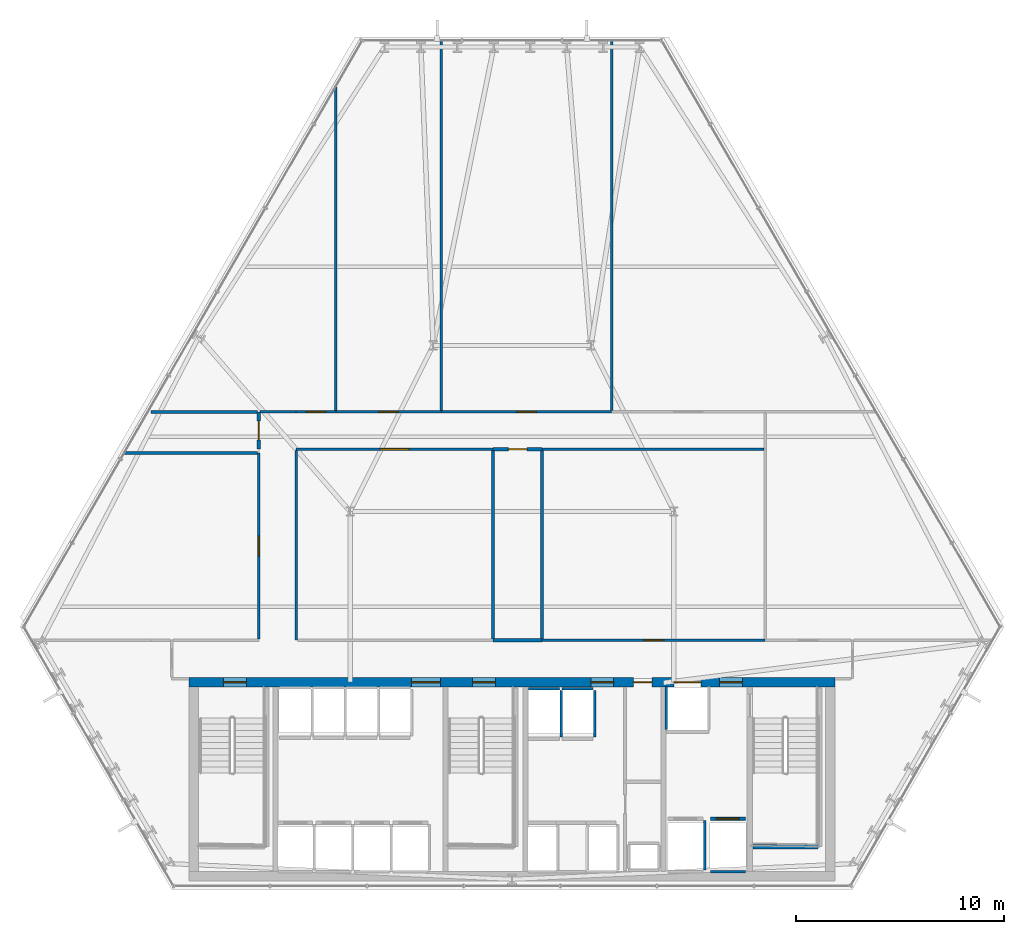
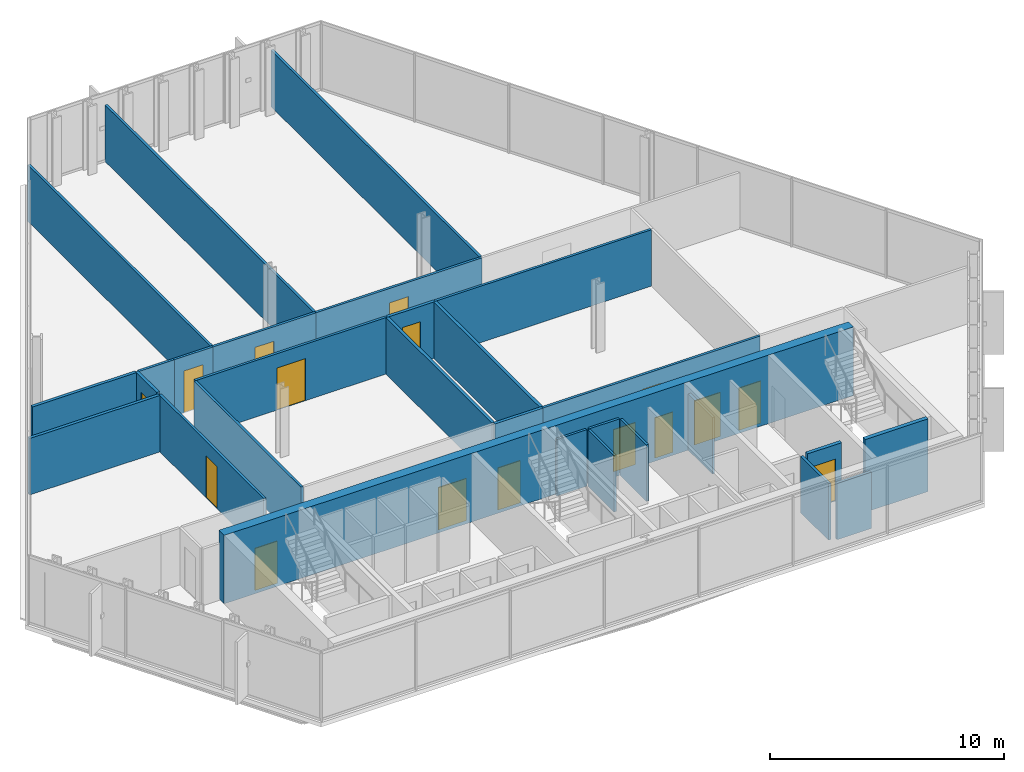
# One storey, part 28 of 33: 29 walls, 16 doors, 16 openings.
"""IFC4 building model written with IfcOpenShell, lengths in metres."""

import ifcopenshell
import ifcopenshell.guid

model = None  # the IFC model being written
_history = None  # IfcOwnerHistory: only IFC2X3 demands one
_inside = {}  # id of a spatial element -> (the spatial element, [elements in it])
_under = {}  # id of a project, library or spatial element -> (it, [spatial elements below it])
_declared = {}  # id of a project -> (the project, [libraries it declares])
_typed = {}  # id of a type object -> (the type object, [elements of that type])
_made_of = {}  # id of a material, layer set ... -> (it, [elements and type objects made of it])


def new_model(schema):
    """Start an empty IFC model of exactly this schema.

    Asked for "IFC4X3", IfcOpenShell would pick the latest addendum, in which some entities
    have other attributes; the version numbers below select the first issue.
    IFC2X3 requires an IfcOwnerHistory on every rooted entity: one is made here for all.
    """
    global model, _history
    if schema == "IFC4X3":
        model = ifcopenshell.file(schema_version=(4, 3, 0, 0))
    else:
        model = ifcopenshell.file(schema=schema)
    _inside.clear()
    _under.clear()
    _declared.clear()
    _typed.clear()
    _made_of.clear()
    _history = None
    if model.schema == "IFC2X3":
        org = make("IfcOrganization", Name="unknown")
        user = make(
            "IfcPersonAndOrganization",
            ThePerson=make("IfcPerson", FamilyName="unknown"),
            TheOrganization=org,
        )
        app = make(
            "IfcApplication",
            ApplicationDeveloper=org,
            Version="unknown",
            ApplicationFullName="unknown",
            ApplicationIdentifier="unknown",
        )
        _history = make(
            "IfcOwnerHistory",
            OwningUser=user,
            OwningApplication=app,
            ChangeAction="ADDED",
            CreationDate=0,
        )
    return model


def make(cls, **values):
    """One entity of the class cls with the attributes given. An attribute that is None is left unset."""
    return model.create_entity(
        cls, **{name: value for name, value in values.items() if value is not None}
    )


def rooted(cls, **values):
    """An entity with a GlobalId (a new one), such as an element, a storey or a relation."""
    return make(cls, GlobalId=ifcopenshell.guid.new(), OwnerHistory=_history, **values)


def si_unit(unit_type, name, prefix=None):
    """IfcSIUnit, for example si_unit("LENGTHUNIT", "METRE", prefix="MILLI")."""
    return make("IfcSIUnit", UnitType=unit_type, Prefix=prefix, Name=name)


def assignment(units):
    """IfcUnitAssignment: the units of a project."""
    return None if units is None else make("IfcUnitAssignment", Units=units)


def point(xyz):
    """IfcCartesianPoint."""
    return None if xyz is None else make("IfcCartesianPoint", Coordinates=xyz)


def direction(xyz):
    """IfcDirection."""
    return None if xyz is None else make("IfcDirection", DirectionRatios=xyz)


def frame(location, z_axis=None, x_axis=None):
    """IfcAxis2Placement3D, a coordinate frame: its origin and axes. An axis left out is left unset."""
    return make(
        "IfcAxis2Placement3D",
        Location=point(location),
        Axis=direction(z_axis),
        RefDirection=direction(x_axis),
    )


def frame_2d(location, x_axis=None):
    """IfcAxis2Placement2D, a coordinate frame in the plane: its origin and x axis."""
    return make(
        "IfcAxis2Placement2D", Location=point(location), RefDirection=direction(x_axis)
    )


def origin():
    """The frame at (0, 0, 0) with its axes left unset."""
    return frame((0.0, 0.0, 0.0))


def place(relative_to, where):
    """IfcLocalPlacement: puts the frame where relative to a parent placement (None: the world)."""
    return make(
        "IfcLocalPlacement", PlacementRelTo=relative_to, RelativePlacement=where
    )


def context(
    kind, dimensions, precision=None, world=None, true_north=None, identifier=None
):
    """IfcGeometricRepresentationContext, for example the 3D "Model" context."""
    return make(
        "IfcGeometricRepresentationContext",
        ContextIdentifier=identifier,
        ContextType=kind,
        CoordinateSpaceDimension=dimensions,
        Precision=precision,
        WorldCoordinateSystem=world,
        TrueNorth=true_north,
    )


def subcontext(parent, identifier, kind, view, scale=None):
    """IfcGeometricRepresentationSubContext, for example "Body" below "Model"."""
    return make(
        "IfcGeometricRepresentationSubContext",
        ContextIdentifier=identifier,
        ContextType=kind,
        ParentContext=parent,
        TargetScale=scale,
        TargetView=view,
    )


def project(units=None, contexts=None):
    """IfcProject with its units and contexts."""
    return rooted(
        "IfcProject",
        Name="project",
        RepresentationContexts=contexts,
        UnitsInContext=assignment(units),
    )


def spatial(cls, under=None, at=None, **own):
    """A site, building, storey or space (cls), placed at a placement, below another one or the project."""
    s = rooted(cls, ObjectPlacement=at, **own)
    if under is not None:
        _under.setdefault(under.id(), (under, []))[1].append(s)
    return s


def profile(cls, at=None, kind="AREA", **sizes):
    """A parametric profile (cls). Its sizes go by their IFC names, for example OverallWidth=200.0."""
    return make(cls, ProfileType=kind, Position=at, **sizes)


def rectangle(**sizes):
    """IfcRectangleProfileDef."""
    return profile("IfcRectangleProfileDef", **sizes)


def extrude(swept, where, along, depth):
    """IfcExtrudedAreaSolid: the profile swept, set in the frame where, extruded along a direction by depth."""
    return make(
        "IfcExtrudedAreaSolid",
        SweptArea=swept,
        Position=where,
        ExtrudedDirection=direction(along),
        Depth=depth,
    )


def shape(context_of_items, identifier, shape_type, items):
    """IfcShapeRepresentation: the items that make up one representation, for example the "Body"."""
    return make(
        "IfcShapeRepresentation",
        ContextOfItems=context_of_items,
        RepresentationIdentifier=identifier,
        RepresentationType=shape_type,
        Items=items,
    )


def material(Name=None, Category=None):
    """IfcMaterial."""
    return make("IfcMaterial", Name=Name, Category=Category)


def layer(
    of_material, thickness, ventilated=None, Name=None, Category=None, Priority=None
):
    """IfcMaterialLayer: one layer of a wall or slab, of a material (None: an air gap)."""
    return make(
        "IfcMaterialLayer",
        Material=of_material,
        LayerThickness=thickness,
        IsVentilated=ventilated,
        Name=Name,
        Category=Category,
        Priority=Priority,
    )


def layer_set(layers, Name=None):
    """IfcMaterialLayerSet."""
    return make("IfcMaterialLayerSet", MaterialLayers=layers, LayerSetName=Name)


def made_of(thing, what):
    """Note that an element or type object is made of a material, layer set ...; save() writes the relation."""
    if what is not None:
        _made_of.setdefault(what.id(), (what, []))[1].append(thing)
    return thing


def type_object(cls, material=None, **own):
    """A type object (cls), such as IfcWallType, which elements share."""
    return made_of(rooted(cls, **own), material)


def element(
    cls,
    number,
    at=None,
    inside=None,
    cuts=None,
    type_object=None,
    material=None,
    context=None,
    identifier="Body",
    shape_type=None,
    held_by="IfcProductDefinitionShape",
    body=None,
    shapes=None,
    **own,
):
    """One element of the class cls, such as IfcWall. Its Tag is "e" and its number.

    at: its placement. inside: the storey or other place that contains it. cuts: it is an
    opening in that element (IfcRelVoidsElement). A single representation is given by context,
    identifier, shape_type and body (its items); several are given by shapes. held_by: the class
    of the entity that holds the representations. save() writes the other relations.
    """
    e = rooted(cls, Tag="e%d" % number, ObjectPlacement=at, **own)
    if body is not None:
        shapes = [shape(context, identifier, shape_type, body)]
    if shapes is not None:
        e.Representation = make(held_by, Representations=shapes)
    if inside is not None:
        _inside.setdefault(inside.id(), (inside, []))[1].append(e)
    if cuts is not None:
        rooted(
            "IfcRelVoidsElement", RelatingBuildingElement=cuts, RelatedOpeningElement=e
        )
    if type_object is not None:
        _typed.setdefault(type_object.id(), (type_object, []))[1].append(e)
    return made_of(e, material)


def fill(opening, filler):
    """IfcRelFillsElement: the door or window that sits in an opening."""
    return rooted(
        "IfcRelFillsElement",
        RelatingOpeningElement=opening,
        RelatedBuildingElement=filler,
    )


def aggregate(whole, parts):
    """IfcRelAggregates: a whole, such as a stair, and the parts it consists of."""
    return rooted("IfcRelAggregates", RelatingObject=whole, RelatedObjects=parts)


def save(model, path):
    """Write the relations noted so far, then the file.

    IfcRelAggregates (storeys below a building ...), IfcRelContainedInSpatialStructure (elements
    in a storey), IfcRelDefinesByType, IfcRelAssociatesMaterial and IfcRelDeclares: one each for
    every whole, place, type object, material and project.
    """
    for whole, parts in _under.values():
        aggregate(whole, parts)
    for where, things in _inside.values():
        rooted(
            "IfcRelContainedInSpatialStructure",
            RelatedElements=things,
            RelatingStructure=where,
        )
    for kind, things in _typed.values():
        rooted("IfcRelDefinesByType", RelatedObjects=things, RelatingType=kind)
    for what, things in _made_of.values():
        rooted("IfcRelAssociatesMaterial", RelatedObjects=things, RelatingMaterial=what)
    for by, libraries in _declared.values():
        rooted("IfcRelDeclares", RelatingContext=by, RelatedDefinitions=libraries)
    model.write(path)


model = new_model("IFC4")

# Units and contexts
model_context = context("Model", 3, precision=1e-05, world=origin(), true_north=direction((0.0, 1.0)))
body_context = subcontext(model_context, "Body", "Model", "MODEL_VIEW")
ifc_project = project(units=[si_unit("LENGTHUNIT", "METRE"), si_unit("AREAUNIT", "SQUARE_METRE"), si_unit("VOLUMEUNIT", "CUBIC_METRE"), si_unit("PLANEANGLEUNIT", "RADIAN"), si_unit("MASSUNIT", "GRAM", prefix="KILO")], contexts=[model_context])

# Site, building, storey
site_placement = place(None, origin())
site = spatial("IfcSite", under=ifc_project, at=site_placement, CompositionType="ELEMENT")
building_placement = place(site_placement, origin())
building = spatial("IfcBuilding", under=site, at=building_placement, Name="Ndaravel Arena Tower", CompositionType="ELEMENT")
storey_placement = place(building_placement, frame((0.0, 0.0, 81.60009765625)))
storey = spatial("IfcBuildingStorey", under=building, at=storey_placement, Name="L18", CompositionType="ELEMENT", Elevation=81.60009765625)

# Wall, openings, doors
ifc_material_1 = material(Name="Concrete C60/75", Category="concrete")
ifc_layer_1 = layer(ifc_material_1, 0.449951171875)
ifc_layer_set_1 = layer_set([ifc_layer_1], Name="Concrete C60/75")
wall_type_1 = type_object("IfcWallType", Name="WALL-CORE-450", PredefinedType="SOLIDWALL", material=ifc_layer_set_1)
wall_1_placement = place(storey_placement, frame((26.449951171875, 14.97509765625, 0.0), z_axis=(0.0, 0.0, 1.0), x_axis=(1.0, 0.0, 0.0)))
wall_1 = element("IfcWall", 1, at=wall_1_placement, inside=storey, type_object=wall_type_1, Name="L18 Core North Shear Wall", PredefinedType="SOLIDWALL", context=body_context, shape_type="SweptSolid", body=[
    extrude(rectangle(XDim=31.10009765625, YDim=0.449951171875, at=frame_2d((15.550048828125, 0.0))), origin(), (0.0, 0.0, 1.0), 3.579833984375),
])
opening_1_placement = place(wall_1_placement, frame((1.64990234375, 0.0, 0.0)))
opening_1 = element("IfcOpeningElement", 2, at=opening_1_placement, cuts=wall_1, Name="Opening FD-01", PredefinedType="OPENING", context=body_context, shape_type="SweptSolid", body=[
    extrude(rectangle(XDim=1.10009765625, YDim=2.199951171875, at=frame_2d((0.550048828125, 1.10009765625))), frame((0.0, 0.22509765625, 0.0), z_axis=(0.0, -1.0, 0.0), x_axis=(1.0, 0.0, 0.0)), (0.0, 0.0, 1.0), 0.449951171875),
])
opening_2_placement = place(wall_1_placement, frame((13.64990234375, 0.0, 0.0)))
opening_2 = element("IfcOpeningElement", 3, at=opening_2_placement, cuts=wall_1, Name="Opening FD-01", PredefinedType="OPENING", context=body_context, shape_type="SweptSolid", body=[
    extrude(rectangle(XDim=1.10009765625, YDim=2.199951171875, at=frame_2d((0.550048828125, 1.10009765625))), frame((0.0, 0.22509765625, 0.0), z_axis=(0.0, -1.0, 0.0), x_axis=(1.0, 0.0, 0.0)), (0.0, 0.0, 1.0), 0.449951171875),
])
opening_3_placement = place(wall_1_placement, frame((25.550048828125, 0.0, 0.0)))
opening_3 = element("IfcOpeningElement", 4, at=opening_3_placement, cuts=wall_1, Name="Opening FD-01", PredefinedType="OPENING", context=body_context, shape_type="SweptSolid", body=[
    extrude(rectangle(XDim=1.10009765625, YDim=2.199951171875, at=frame_2d((0.550048828125, 1.10009765625))), frame((0.0, 0.22509765625, 0.0), z_axis=(0.0, -1.0, 0.0), x_axis=(1.0, 0.0, 0.0)), (0.0, 0.0, 1.0), 0.449951171875),
])
opening_4_placement = place(wall_1_placement, frame((10.699951171875, 0.0, 0.0)))
opening_4 = element("IfcOpeningElement", 5, at=opening_4_placement, cuts=wall_1, Name="Opening ID-02", PredefinedType="OPENING", context=body_context, shape_type="SweptSolid", body=[
    extrude(rectangle(XDim=1.39990234375, YDim=2.199951171875, at=frame_2d((0.699951171875, 1.10009765625))), frame((0.0, 0.22509765625, 0.0), z_axis=(0.0, -1.0, 0.0), x_axis=(1.0, 0.0, 0.0)), (0.0, 0.0, 1.0), 0.449951171875),
])
opening_5_placement = place(wall_1_placement, frame((19.35009765625, 0.0, 0.0)))
opening_5 = element("IfcOpeningElement", 6, at=opening_5_placement, cuts=wall_1, Name="Opening FD-01", PredefinedType="OPENING", context=body_context, shape_type="SweptSolid", body=[
    extrude(rectangle(XDim=1.10009765625, YDim=2.199951171875, at=frame_2d((0.550048828125, 1.10009765625))), frame((0.0, 0.22509765625, 0.0), z_axis=(0.0, -1.0, 0.0), x_axis=(1.0, 0.0, 0.0)), (0.0, 0.0, 1.0), 0.449951171875),
])
opening_6_placement = place(wall_1_placement, frame((21.39990234375, 0.0, 0.0)))
opening_6 = element("IfcOpeningElement", 7, at=opening_6_placement, cuts=wall_1, Name="Opening RD-01", PredefinedType="OPENING", context=body_context, shape_type="SweptSolid", body=[
    extrude(rectangle(XDim=0.89990234375, YDim=2.10009765625, at=frame_2d((0.449951171875, 1.050048828125))), frame((0.0, 0.22509765625, 0.0), z_axis=(0.0, -1.0, 0.0), x_axis=(1.0, 0.0, 0.0)), (0.0, 0.0, 1.0), 0.449951171875),
])
opening_7_placement = place(wall_1_placement, frame((23.35009765625, 0.0, 0.0)))
opening_7 = element("IfcOpeningElement", 8, at=opening_7_placement, cuts=wall_1, Name="Opening LD-02", PredefinedType="OPENING", context=body_context, shape_type="SweptSolid", body=[
    extrude(rectangle(XDim=1.300048828125, YDim=2.300048828125, at=frame_2d((0.64990234375, 1.14990234375))), frame((0.0, 0.22509765625, 0.0), z_axis=(0.0, -1.0, 0.0), x_axis=(1.0, 0.0, 0.0)), (0.0, 0.0, 1.0), 0.449951171875),
])
ifc_material_2 = material(Name="Steel S355", Category="steel")
door_type_1 = type_object("IfcDoorType", Name="DT-01-STAIR-1100", OperationType="SINGLE_SWING_LEFT", PredefinedType="DOOR", material=ifc_material_2)
door_1_placement = place(opening_1_placement, origin())
door_1 = element("IfcDoor", 9, at=door_1_placement, inside=storey, type_object=door_type_1, Name="L18 Exit Stair ST-1 Door", OperationType="SINGLE_SWING_LEFT", OverallHeight=2.199951171875, OverallWidth=1.10009765625, PredefinedType="DOOR", context=body_context, shape_type="SweptSolid", body=[
    extrude(rectangle(XDim=1.10009765625, YDim=2.199951171875, at=frame_2d((0.550048828125, 1.10009765625))), frame((0.0, 0.02490234375, 0.0), z_axis=(0.0, -1.0, 0.0), x_axis=(1.0, 0.0, 0.0)), (0.0, 0.0, 1.0), 0.050048828125),
])
fill(opening_1, door_1)
door_2_placement = place(opening_2_placement, origin())
door_2 = element("IfcDoor", 10, at=door_2_placement, inside=storey, type_object=door_type_1, Name="L18 Exit Stair ST-2 Door", OperationType="SINGLE_SWING_RIGHT", OverallHeight=2.199951171875, OverallWidth=1.10009765625, PredefinedType="DOOR", context=body_context, shape_type="SweptSolid", body=[
    extrude(rectangle(XDim=1.10009765625, YDim=2.199951171875, at=frame_2d((0.550048828125, 1.10009765625))), frame((0.0, 0.02490234375, 0.0), z_axis=(0.0, -1.0, 0.0), x_axis=(1.0, 0.0, 0.0)), (0.0, 0.0, 1.0), 0.050048828125),
])
fill(opening_2, door_2)
door_3_placement = place(opening_3_placement, origin())
door_3 = element("IfcDoor", 11, at=door_3_placement, inside=storey, type_object=door_type_1, Name="L18 Firefighting Lift Lobby Door", OperationType="SINGLE_SWING_RIGHT", OverallHeight=2.199951171875, OverallWidth=1.10009765625, PredefinedType="DOOR", context=body_context, shape_type="SweptSolid", body=[
    extrude(rectangle(XDim=1.10009765625, YDim=2.199951171875, at=frame_2d((0.550048828125, 1.10009765625))), frame((0.0, 0.02490234375, 0.0), z_axis=(0.0, -1.0, 0.0), x_axis=(1.0, 0.0, 0.0)), (0.0, 0.0, 1.0), 0.050048828125),
])
fill(opening_3, door_3)
door_4_placement = place(opening_5_placement, origin())
door_4 = element("IfcDoor", 12, at=door_4_placement, inside=storey, type_object=door_type_1, Name="L18 Express Lift Lobby Entry Door", OperationType="SINGLE_SWING_LEFT", OverallHeight=2.199951171875, OverallWidth=1.10009765625, PredefinedType="DOOR", context=body_context, shape_type="SweptSolid", body=[
    extrude(rectangle(XDim=1.10009765625, YDim=2.199951171875, at=frame_2d((0.550048828125, 1.10009765625))), frame((0.0, 0.02490234375, 0.0), z_axis=(0.0, -1.0, 0.0), x_axis=(1.0, 0.0, 0.0)), (0.0, 0.0, 1.0), 0.050048828125),
])
fill(opening_5, door_4)
ifc_material_3 = material(Name="Timber", Category="wood")
door_type_2 = type_object("IfcDoorType", Name="DT-04-SUITE-1400", OperationType="DOUBLE_DOOR_SINGLE_SWING", PredefinedType="DOOR", material=ifc_material_3)
door_5_placement = place(opening_4_placement, origin())
door_5 = element("IfcDoor", 13, at=door_5_placement, inside=storey, type_object=door_type_2, Name="L18 West Lift Lobby Entry Door", OperationType="DOUBLE_DOOR_SINGLE_SWING", OverallHeight=2.199951171875, OverallWidth=1.39990234375, PredefinedType="DOOR", context=body_context, shape_type="SweptSolid", body=[
    extrude(rectangle(XDim=1.39990234375, YDim=2.199951171875, at=frame_2d((0.699951171875, 1.10009765625))), frame((0.0, 0.02490234375, 0.0), z_axis=(0.0, -1.0, 0.0), x_axis=(1.0, 0.0, 0.0)), (0.0, 0.0, 1.0), 0.050048828125),
])
fill(opening_4, door_5)
ifc_material_4 = material(Name="Steel S355", Category="steel")
door_type_3 = type_object("IfcDoorType", Name="DT-07-SVLIFT-1300", OperationType="DOUBLE_DOOR_SLIDING", PredefinedType="DOOR", material=ifc_material_4)
door_6_placement = place(opening_7_placement, origin())
door_6 = element("IfcDoor", 14, at=door_6_placement, inside=storey, type_object=door_type_3, Name="L18 Lift SVL-1 Sliding Landing Door", OperationType="DOUBLE_DOOR_SLIDING", OverallHeight=2.300048828125, OverallWidth=1.300048828125, PredefinedType="DOOR", context=body_context, shape_type="SweptSolid", body=[
    extrude(rectangle(XDim=1.300048828125, YDim=2.300048828125, at=frame_2d((0.64990234375, 1.14990234375))), frame((0.0, 0.02490234375, 0.0), z_axis=(0.0, -1.0, 0.0), x_axis=(1.0, 0.0, 0.0)), (0.0, 0.0, 1.0), 0.050048828125),
])
fill(opening_7, door_6)
ifc_material_5 = material(Name="Steel S355", Category="steel")
door_type_4 = type_object("IfcDoorType", Name="DT-08-RISER-900", OperationType="SINGLE_SWING_LEFT", PredefinedType="DOOR", material=ifc_material_5)
door_7_placement = place(opening_6_placement, origin())
door_7 = element("IfcDoor", 15, at=door_7_placement, inside=storey, type_object=door_type_4, Name="L18 Core Service Riser North Door", OperationType="SINGLE_SWING_LEFT", OverallHeight=2.10009765625, OverallWidth=0.89990234375, PredefinedType="DOOR", context=body_context, shape_type="SweptSolid", body=[
    extrude(rectangle(XDim=0.89990234375, YDim=2.10009765625, at=frame_2d((0.449951171875, 1.050048828125))), frame((0.0, 0.02490234375, 0.0), z_axis=(0.0, -1.0, 0.0), x_axis=(1.0, 0.0, 0.0)), (0.0, 0.0, 1.0), 0.050048828125),
])
fill(opening_6, door_7)

# Wall, opening, door
ifc_material_6 = material(Name="Gypsum", Category="gypsum")
ifc_layer_2 = layer(ifc_material_6, 0.125)
ifc_layer_set_2 = layer_set([ifc_layer_2], Name="Gypsum")
wall_type_2 = type_object("IfcWallType", Name="WALL-PART-125", PredefinedType="PARTITIONING", material=ifc_layer_set_2)
wall_2_placement = place(storey_placement, frame((29.800048828125, 17.06494140625, 0.0), z_axis=(0.0, 0.0, 1.0), x_axis=(0.0, 1.0, 0.0)))
wall_2 = element("IfcWall", 16, at=wall_2_placement, inside=storey, type_object=wall_type_2, Name="L18 Interior Partition 006", PredefinedType="PARTITIONING", context=body_context, shape_type="SweptSolid", body=[
    extrude(rectangle(XDim=8.955078125, YDim=0.125, at=frame_2d((4.4775390625, 0.0))), origin(), (0.0, 0.0, 1.0), 2.949951171875),
])
opening_8_placement = place(wall_2_placement, frame((4.00244140625, 0.0, 0.0)))
opening_8 = element("IfcOpeningElement", 17, at=opening_8_placement, cuts=wall_2, Name="Opening ID-01", PredefinedType="OPENING", context=body_context, shape_type="SweptSolid", body=[
    extrude(rectangle(XDim=0.949951171875, YDim=2.199951171875, at=frame_2d((0.47509765625, 1.10009765625))), frame((0.0, 0.0625, 0.0), z_axis=(0.0, -1.0, 0.0), x_axis=(1.0, 0.0, 0.0)), (0.0, 0.0, 1.0), 0.125),
])
ifc_material_7 = material(Name="Timber", Category="wood")
door_type_5 = type_object("IfcDoorType", Name="DT-03-OFFICE-950", OperationType="SINGLE_SWING_LEFT", PredefinedType="DOOR", material=ifc_material_7)
door_8_placement = place(opening_8_placement, origin())
door_8 = element("IfcDoor", 18, at=door_8_placement, inside=storey, type_object=door_type_5, Name="L18 Design Bookshop Boutique Door", OperationType="SINGLE_SWING_LEFT", OverallHeight=2.199951171875, OverallWidth=0.949951171875, PredefinedType="DOOR", context=body_context, shape_type="SweptSolid", body=[
    extrude(rectangle(XDim=0.949951171875, YDim=2.199951171875, at=frame_2d((0.47509765625, 1.10009765625))), frame((0.0, 0.02490234375, 0.0), z_axis=(0.0, -1.0, 0.0), x_axis=(1.0, 0.0, 0.0)), (0.0, 0.0, 1.0), 0.050048828125),
])
fill(opening_8, door_8)

# Wall
wall_3_placement = place(storey_placement, frame((29.864990234375, 28.0, 0.0), z_axis=(0.0, 0.0, 1.0), x_axis=(1.0, 0.0, 0.0)))
element("IfcWall", 19, at=wall_3_placement, inside=storey, type_object=wall_type_2, Name="L18 Interior Partition 008", PredefinedType="PARTITIONING", context=body_context, shape_type="SweptSolid", body=[
    extrude(rectangle(XDim=1.735107421875, YDim=0.125, at=frame_2d((0.86767578125, 0.0))), origin(), (0.0, 0.0, 1.0), 2.949951171875),
])

# Wall, opening, door
wall_4_placement = place(storey_placement, frame((31.60009765625, 28.0, 0.0), z_axis=(0.0, 0.0, 1.0), x_axis=(1.0, 0.0, 0.0)))
wall_4 = element("IfcWall", 20, at=wall_4_placement, inside=storey, type_object=wall_type_2, Name="L18 Interior Partition 009", PredefinedType="PARTITIONING", context=body_context, shape_type="SweptSolid", body=[
    extrude(rectangle(XDim=1.90869140625, YDim=0.125, at=frame_2d((0.954345703125, 0.0))), origin(), (0.0, 0.0, 1.0), 2.949951171875),
])
opening_9_placement = place(wall_4_placement, frame((0.4794921875, 0.0, 0.0)))
opening_9 = element("IfcOpeningElement", 21, at=opening_9_placement, cuts=wall_4, Name="Opening ID-01", PredefinedType="OPENING", context=body_context, shape_type="SweptSolid", body=[
    extrude(rectangle(XDim=0.949951171875, YDim=2.199951171875, at=frame_2d((0.47509765625, 1.10009765625))), frame((0.0, 0.0625, 0.0), z_axis=(0.0, -1.0, 0.0), x_axis=(1.0, 0.0, 0.0)), (0.0, 0.0, 1.0), 0.125),
])
door_9_placement = place(opening_9_placement, origin())
door_9 = element("IfcDoor", 22, at=door_9_placement, inside=storey, type_object=door_type_5, Name="L18 Concierge Arrival Salon 2 Door", OperationType="SINGLE_SWING_LEFT", OverallHeight=2.199951171875, OverallWidth=0.949951171875, PredefinedType="DOOR", context=body_context, shape_type="SweptSolid", body=[
    extrude(rectangle(XDim=0.949951171875, YDim=2.199951171875, at=frame_2d((0.47509765625, 1.10009765625))), frame((0.0, 0.02490234375, 0.0), z_axis=(0.0, -1.0, 0.0), x_axis=(1.0, 0.0, 0.0)), (0.0, 0.0, 1.0), 0.050048828125),
])
fill(opening_9, door_9)

wall_5_placement = place(storey_placement, frame((33.5087890625, 28.0, 0.0), z_axis=(0.0, 0.0, 1.0), x_axis=(1.0, 0.0, 0.0)))
wall_5 = element("IfcWall", 23, at=wall_5_placement, inside=storey, type_object=wall_type_2, Name="L18 Interior Partition 010", PredefinedType="PARTITIONING", context=body_context, shape_type="SweptSolid", body=[
    extrude(rectangle(XDim=5.09130859375, YDim=0.125, at=frame_2d((2.545654296875, 0.0))), origin(), (0.0, 0.0, 1.0), 2.949951171875),
])
opening_10_placement = place(wall_5_placement, frame((2.070556640625, 0.0, 0.0)))
opening_10 = element("IfcOpeningElement", 24, at=opening_10_placement, cuts=wall_5, Name="Opening ID-01", PredefinedType="OPENING", context=body_context, shape_type="SweptSolid", body=[
    extrude(rectangle(XDim=0.949951171875, YDim=2.199951171875, at=frame_2d((0.47509765625, 1.10009765625))), frame((0.0, 0.0625, 0.0), z_axis=(0.0, -1.0, 0.0), x_axis=(1.0, 0.0, 0.0)), (0.0, 0.0, 1.0), 0.125),
])
door_10_placement = place(opening_10_placement, origin())
door_10 = element("IfcDoor", 25, at=door_10_placement, inside=storey, type_object=door_type_5, Name="L18 Executive Corner Office 4 Door", OperationType="SINGLE_SWING_LEFT", OverallHeight=2.199951171875, OverallWidth=0.949951171875, PredefinedType="DOOR", context=body_context, shape_type="SweptSolid", body=[
    extrude(rectangle(XDim=0.949951171875, YDim=2.199951171875, at=frame_2d((0.47509765625, 1.10009765625))), frame((0.0, 0.02490234375, 0.0), z_axis=(0.0, -1.0, 0.0), x_axis=(1.0, 0.0, 0.0)), (0.0, 0.0, 1.0), 0.050048828125),
])
fill(opening_10, door_10)

wall_6_placement = place(storey_placement, frame((38.60009765625, 28.0, 0.0), z_axis=(0.0, 0.0, 1.0), x_axis=(1.0, 0.0, 0.0)))
wall_6 = element("IfcWall", 26, at=wall_6_placement, inside=storey, type_object=wall_type_2, Name="L18 Interior Partition 011", PredefinedType="PARTITIONING", context=body_context, shape_type="SweptSolid", body=[
    extrude(rectangle(XDim=8.199951171875, YDim=0.125, at=frame_2d((4.10009765625, 0.0))), origin(), (0.0, 0.0, 1.0), 2.949951171875),
])
opening_11_placement = place(wall_6_placement, frame((3.625, 0.0, 0.0)))
opening_11 = element("IfcOpeningElement", 27, at=opening_11_placement, cuts=wall_6, Name="Opening ID-01", PredefinedType="OPENING", context=body_context, shape_type="SweptSolid", body=[
    extrude(rectangle(XDim=0.949951171875, YDim=2.199951171875, at=frame_2d((0.47509765625, 1.10009765625))), frame((0.0, 0.0625, 0.0), z_axis=(0.0, -1.0, 0.0), x_axis=(1.0, 0.0, 0.0)), (0.0, 0.0, 1.0), 0.125),
])
door_11_placement = place(opening_11_placement, origin())
door_11 = element("IfcDoor", 28, at=door_11_placement, inside=storey, type_object=door_type_5, Name="L18 Client Concierge Parlour 4 Door", OperationType="SINGLE_SWING_RIGHT", OverallHeight=2.199951171875, OverallWidth=0.949951171875, PredefinedType="DOOR", context=body_context, shape_type="SweptSolid", body=[
    extrude(rectangle(XDim=0.949951171875, YDim=2.199951171875, at=frame_2d((0.47509765625, 1.10009765625))), frame((0.0, 0.02490234375, 0.0), z_axis=(0.0, -1.0, 0.0), x_axis=(1.0, 0.0, 0.0)), (0.0, 0.0, 1.0), 0.050048828125),
])
fill(opening_11, door_11)

# Wall
wall_7_placement = place(storey_placement, frame((54.135009765625, 26.199951171875, 0.0), z_axis=(0.0, 0.0, 1.0), x_axis=(-1.0, 0.0, 0.0)))
element("IfcWall", 29, at=wall_7_placement, inside=storey, type_object=wall_type_2, Name="L18 Interior Partition 014", PredefinedType="PARTITIONING", context=body_context, shape_type="SweptSolid", body=[
    extrude(rectangle(XDim=10.68359375, YDim=0.125, at=frame_2d((5.341796875, 0.0))), origin(), (0.0, 0.0, 1.0), 2.949951171875),
])

# Wall, opening, door
wall_8_placement = place(storey_placement, frame((41.092041015625, 26.199951171875, 0.0), z_axis=(0.0, 0.0, 1.0), x_axis=(-1.0, 0.0, 0.0)))
wall_8 = element("IfcWall", 30, at=wall_8_placement, inside=storey, type_object=wall_type_2, Name="L18 Interior Partition 016", PredefinedType="PARTITIONING", context=body_context, shape_type="SweptSolid", body=[
    extrude(rectangle(XDim=9.491943359375, YDim=0.125, at=frame_2d((4.74609375, 0.0))), origin(), (0.0, 0.0, 1.0), 2.949951171875),
])
opening_12_placement = place(wall_8_placement, frame((4.0458984375, 0.0, 0.0)))
opening_12 = element("IfcOpeningElement", 31, at=opening_12_placement, cuts=wall_8, Name="Opening ID-02", PredefinedType="OPENING", context=body_context, shape_type="SweptSolid", body=[
    extrude(rectangle(XDim=1.39990234375, YDim=2.199951171875, at=frame_2d((0.699951171875, 1.10009765625))), frame((0.0, 0.0625, 0.0), z_axis=(0.0, -1.0, 0.0), x_axis=(1.0, 0.0, 0.0)), (0.0, 0.0, 1.0), 0.125),
])
door_12_placement = place(opening_12_placement, origin())
door_12 = element("IfcDoor", 32, at=door_12_placement, inside=storey, type_object=door_type_2, Name="L18 Collaborative Lounge Door", OperationType="SINGLE_SWING_RIGHT", OverallHeight=2.199951171875, OverallWidth=1.39990234375, PredefinedType="DOOR", context=body_context, shape_type="SweptSolid", body=[
    extrude(rectangle(XDim=1.39990234375, YDim=2.199951171875, at=frame_2d((0.699951171875, 1.10009765625))), frame((0.0, 0.02490234375, 0.0), z_axis=(0.0, -1.0, 0.0), x_axis=(1.0, 0.0, 0.0)), (0.0, 0.0, 1.0), 0.050048828125),
])
fill(opening_12, door_12)

# Wall
wall_9_placement = place(storey_placement, frame((31.60009765625, 26.135009765625, 0.0), z_axis=(0.0, 0.0, 1.0), x_axis=(0.0, -1.0, 0.0)))
element("IfcWall", 33, at=wall_9_placement, inside=storey, type_object=wall_type_2, Name="L18 Interior Partition 017", PredefinedType="PARTITIONING", context=body_context, shape_type="SweptSolid", body=[
    extrude(rectangle(XDim=9.135009765625, YDim=0.125, at=frame_2d((4.5673828125, 0.0))), origin(), (0.0, 0.0, 1.0), 2.949951171875),
])

# Wall, opening, door
wall_10_placement = place(storey_placement, frame((43.451416015625, 17.0, 0.0), z_axis=(0.0, 0.0, 1.0), x_axis=(1.0, 0.0, 0.0)))
wall_10 = element("IfcWall", 34, at=wall_10_placement, inside=storey, type_object=wall_type_2, Name="L18 Interior Partition 020", PredefinedType="PARTITIONING", context=body_context, shape_type="SweptSolid", body=[
    extrude(rectangle(XDim=10.74853515625, YDim=0.125, at=frame_2d((5.374267578125, 0.0))), origin(), (0.0, 0.0, 1.0), 2.949951171875),
])
opening_13_placement = place(wall_10_placement, frame((4.8994140625, 0.0, 0.0)))
opening_13 = element("IfcOpeningElement", 35, at=opening_13_placement, cuts=wall_10, Name="Opening ID-01", PredefinedType="OPENING", context=body_context, shape_type="SweptSolid", body=[
    extrude(rectangle(XDim=0.949951171875, YDim=2.199951171875, at=frame_2d((0.47509765625, 1.10009765625))), frame((0.0, 0.0625, 0.0), z_axis=(0.0, -1.0, 0.0), x_axis=(1.0, 0.0, 0.0)), (0.0, 0.0, 1.0), 0.125),
])
door_13_placement = place(opening_13_placement, origin())
door_13 = element("IfcDoor", 36, at=door_13_placement, inside=storey, type_object=door_type_5, Name="L18 Cellular Partner Office 2 Door", OperationType="SINGLE_SWING_RIGHT", OverallHeight=2.199951171875, OverallWidth=0.949951171875, PredefinedType="DOOR", context=body_context, shape_type="SweptSolid", body=[
    extrude(rectangle(XDim=0.949951171875, YDim=2.199951171875, at=frame_2d((0.47509765625, 1.10009765625))), frame((0.0, 0.02490234375, 0.0), z_axis=(0.0, -1.0, 0.0), x_axis=(1.0, 0.0, 0.0)), (0.0, 0.0, 1.0), 0.050048828125),
])
fill(opening_13, door_13)

# Walls
wall_11_placement = place(storey_placement, frame((33.5087890625, 43.6767578125, 0.0), z_axis=(0.0, 0.0, 1.0), x_axis=(0.0, -1.0, 0.0)))
element("IfcWall", 37, at=wall_11_placement, inside=storey, type_object=wall_type_2, Name="L18 Interior Partition 031", PredefinedType="PARTITIONING", context=body_context, shape_type="SweptSolid", body=[
    extrude(rectangle(XDim=15.61181640625, YDim=0.125, at=frame_2d((7.805908203125, 0.0))), origin(), (0.0, 0.0, 1.0), 2.949951171875),
])
for number, where, z_axis, x_axis, name in (
    (38, (46.800048828125, 28.06494140625, 0.0), (0.0, 0.0, 1.0), (0.0, 1.0, 0.0), "L18 Interior Partition 032"),
    (39, (38.60009765625, 45.89599609375, 0.0), (0.0, 0.0, 1.0), (0.0, -1.0, 0.0), "L18 Interior Partition 033"),
):
    element("IfcWall", number, at=place(storey_placement, frame(where, z_axis=z_axis, x_axis=x_axis)), inside=storey, type_object=wall_type_2, Name=name, PredefinedType="PARTITIONING", context=body_context, shape_type="SweptSolid", body=[
        extrude(rectangle(XDim=17.8310546875, YDim=0.125, at=frame_2d((8.91552734375, 0.0))), origin(), (0.0, 0.0, 1.0), 2.949951171875),
    ])
ifc_material_8 = material(Name="Concrete C40/50", Category="concrete")
ifc_layer_3 = layer(ifc_material_8, 0.1201171875)
ifc_layer_set_3 = layer_set([ifc_layer_3], Name="Concrete C40/50")
wall_type_3 = type_object("IfcWallType", Name="WALL-SHAFT-120", PredefinedType="SOLIDWALL", material=ifc_layer_set_3)
wall_12_placement = place(storey_placement, frame((42.804931640625, 14.659912109375, 0.0), z_axis=(0.0, 0.0, 1.0), x_axis=(1.0, 0.0, 0.0)))
element("IfcWall", 40, at=wall_12_placement, inside=storey, type_object=wall_type_3, Name="L18 PL-OBS1 Shaft Rear Wall", PredefinedType="SOLIDWALL", context=body_context, shape_type="SweptSolid", body=[
    extrude(rectangle(XDim=1.489990234375, YDim=0.1201171875, at=frame_2d((0.7451171875, 0.0))), origin(), (0.0, 0.0, 1.0), 2.949951171875),
])
wall_13_placement = place(storey_placement, frame((44.375, 12.340087890625, 0.0), z_axis=(0.0, 0.0, 1.0), x_axis=(0.0, 1.0, 0.0)))
element("IfcWall", 41, at=wall_13_placement, inside=storey, type_object=wall_type_3, Name="L18 PL-OBS1 Shaft Side R Wall", PredefinedType="SOLIDWALL", context=body_context, shape_type="SweptSolid", body=[
    extrude(rectangle(XDim=2.22998046875, YDim=0.1201171875, at=frame_2d((1.114990234375, 0.0))), origin(), (0.0, 0.0, 1.0), 2.949951171875),
])
wall_14_placement = place(storey_placement, frame((44.405029296875, 14.659912109375, 0.0), z_axis=(0.0, 0.0, 1.0), x_axis=(1.0, 0.0, 0.0)))
element("IfcWall", 42, at=wall_14_placement, inside=storey, type_object=wall_type_3, Name="L18 PL-OBS2 Shaft Rear Wall", PredefinedType="SOLIDWALL", context=body_context, shape_type="SweptSolid", body=[
    extrude(rectangle(XDim=1.489990234375, YDim=0.1201171875, at=frame_2d((0.7451171875, 0.0))), origin(), (0.0, 0.0, 1.0), 2.949951171875),
])
wall_15_placement = place(storey_placement, frame((45.97509765625, 12.340087890625, 0.0), z_axis=(0.0, 0.0, 1.0), x_axis=(0.0, 1.0, 0.0)))
element("IfcWall", 43, at=wall_15_placement, inside=storey, type_object=wall_type_3, Name="L18 PL-OBS2 Shaft Side R Wall", PredefinedType="SOLIDWALL", context=body_context, shape_type="SweptSolid", body=[
    extrude(rectangle(XDim=2.22998046875, YDim=0.1201171875, at=frame_2d((1.114990234375, 0.0))), origin(), (0.0, 0.0, 1.0), 2.949951171875),
])
wall_16_placement = place(storey_placement, frame((51.27490234375, 5.929931640625, 0.0), z_axis=(0.0, 0.0, 1.0), x_axis=(0.0, 1.0, 0.0)))
element("IfcWall", 44, at=wall_16_placement, inside=storey, type_object=wall_type_3, Name="L18 FFL-1 Shaft Side R Wall", PredefinedType="SOLIDWALL", context=body_context, shape_type="SweptSolid", body=[
    extrude(rectangle(XDim=2.380126953125, YDim=0.1201171875, at=frame_2d((1.18994140625, 0.0))), origin(), (0.0, 0.0, 1.0), 2.949951171875),
])
wall_17_placement = place(storey_placement, frame((51.554931640625, 5.840087890625, 0.0), z_axis=(0.0, 0.0, 1.0), x_axis=(1.0, 0.0, 0.0)))
element("IfcWall", 45, at=wall_17_placement, inside=storey, type_object=wall_type_3, Name="L18 FFL-2 Shaft Rear Wall", PredefinedType="SOLIDWALL", context=body_context, shape_type="SweptSolid", body=[
    extrude(rectangle(XDim=1.690185546875, YDim=0.1201171875, at=frame_2d((0.84521484375, 0.0))), origin(), (0.0, 0.0, 1.0), 2.949951171875),
])
wall_18_placement = place(storey_placement, frame((49.43994140625, 12.68994140625, 0.0), z_axis=(0.0, 0.0, 1.0), x_axis=(0.0, 1.0, 0.0)))
element("IfcWall", 46, at=wall_18_placement, inside=storey, type_object=wall_type_3, Name="L18 SVL-1 Shaft W Wall", PredefinedType="SOLIDWALL", context=body_context, shape_type="SweptSolid", body=[
    extrude(rectangle(XDim=2.070068359375, YDim=0.1201171875, at=frame_2d((1.03515625, 0.0))), origin(), (0.0, 0.0, 1.0), 2.949951171875),
])
ifc_material_9 = material(Name="Concrete C40/50", Category="concrete")
ifc_layer_4 = layer(ifc_material_9, 0.199951171875)
ifc_layer_set_4 = layer_set([ifc_layer_4], Name="Concrete C40/50")
wall_type_4 = type_object("IfcWallType", Name="WALL-SHAFT-200", PredefinedType="SOLIDWALL", material=ifc_layer_set_4)
wall_19_placement = place(storey_placement, frame((53.6201171875, 7.050048828125, 0.0), z_axis=(0.0, 0.0, 1.0), x_axis=(1.0, 0.0, 0.0)))
element("IfcWall", 47, at=wall_19_placement, inside=storey, type_object=wall_type_4, Name="L18 ST-3 Structural Shaft Wall Far", PredefinedType="SOLIDWALL", context=body_context, shape_type="SweptSolid", body=[
    extrude(rectangle(XDim=3.114990234375, YDim=0.199951171875, at=frame_2d((1.5576171875, 0.0))), origin(), (0.0, 0.0, 1.0), 3.7998046875),
])

# Wall, opening, door
wall_20_placement = place(storey_placement, frame((51.554931640625, 8.39990234375, 0.0), z_axis=(0.0, 0.0, 1.0), x_axis=(1.0, 0.0, 0.0)))
wall_20 = element("IfcWall", 48, at=wall_20_placement, inside=storey, type_object=wall_type_4, Name="L18 FFL-2 Shaft Landing Wall", PredefinedType="SOLIDWALL", context=body_context, shape_type="SweptSolid", body=[
    extrude(rectangle(XDim=1.690185546875, YDim=0.179931640625, at=frame_2d((0.84521484375, 0.0))), origin(), (0.0, 0.0, 1.0), 2.949951171875),
])
opening_14_placement = place(wall_20_placement, frame((0.294921875, 0.0, 0.0)))
opening_14 = element("IfcOpeningElement", 49, at=opening_14_placement, cuts=wall_20, Name="Opening LD-01", PredefinedType="OPENING", context=body_context, shape_type="SweptSolid", body=[
    extrude(rectangle(XDim=1.10009765625, YDim=2.199951171875, at=frame_2d((0.550048828125, 1.10009765625))), frame((0.0, 0.08984375, 0.0), z_axis=(0.0, -1.0, 0.0), x_axis=(1.0, 0.0, 0.0)), (0.0, 0.0, 1.0), 0.179931640625),
])
ifc_material_10 = material(Name="Steel S355", Category="steel")
door_type_6 = type_object("IfcDoorType", Name="DT-06-LIFT-1100", OperationType="SLIDING_TO_LEFT", PredefinedType="DOOR", material=ifc_material_10)
door_14_placement = place(opening_14_placement, origin())
door_14 = element("IfcDoor", 50, at=door_14_placement, inside=storey, type_object=door_type_6, Name="L18 Lift FFL-2 Sliding Landing Door", OperationType="SLIDING_TO_LEFT", OverallHeight=2.199951171875, OverallWidth=1.10009765625, PredefinedType="DOOR", context=body_context, shape_type="SweptSolid", body=[
    extrude(rectangle(XDim=1.10009765625, YDim=2.199951171875, at=frame_2d((0.550048828125, 1.10009765625))), frame((0.0, 0.02490234375, 0.0), z_axis=(0.0, -1.0, 0.0), x_axis=(1.0, 0.0, 0.0)), (0.0, 0.0, 1.0), 0.050048828125),
])
fill(opening_14, door_14)

ifc_material_11 = material(Name="Masonry", Category="masonry")
ifc_layer_5 = layer(ifc_material_11, 0.14990234375)
ifc_layer_set_5 = layer_set([ifc_layer_5], Name="Masonry")
wall_type_5 = type_object("IfcWallType", Name="WALL-WET-150", PredefinedType="PARTITIONING", material=ifc_layer_set_5)
wall_21_placement = place(storey_placement, frame((29.800048828125, 26.199951171875, 0.0), z_axis=(0.0, 0.0, 1.0), x_axis=(0.0, 1.0, 0.0)))
wall_21 = element("IfcWall", 51, at=wall_21_placement, inside=storey, type_object=wall_type_5, Name="L18 Interior Partition 007", PredefinedType="PARTITIONING", context=body_context, shape_type="SweptSolid", body=[
    extrude(rectangle(XDim=1.800048828125, YDim=0.14990234375, at=frame_2d((0.89990234375, 0.0))), origin(), (0.0, 0.0, 1.0), 2.949951171875),
])
opening_15_placement = place(wall_21_placement, frame((0.449951171875, 0.0, 0.0)))
opening_15 = element("IfcOpeningElement", 52, at=opening_15_placement, cuts=wall_21, Name="Opening WD-01", PredefinedType="OPENING", context=body_context, shape_type="SweptSolid", body=[
    extrude(rectangle(XDim=0.89990234375, YDim=2.14990234375, at=frame_2d((0.449951171875, 1.074951171875))), frame((0.0, 0.074951171875, 0.0), z_axis=(0.0, -1.0, 0.0), x_axis=(1.0, 0.0, 0.0)), (0.0, 0.0, 1.0), 0.14990234375),
])
ifc_material_12 = material(Name="Timber", Category="wood")
door_type_7 = type_object("IfcDoorType", Name="DT-05-WC-900", OperationType="SINGLE_SWING_LEFT", PredefinedType="DOOR", material=ifc_material_12)
door_15_placement = place(opening_15_placement, origin())
door_15 = element("IfcDoor", 53, at=door_15_placement, inside=storey, type_object=door_type_7, Name="L18 Female & Accessible Restroom Door", OperationType="SINGLE_SWING_RIGHT", OverallHeight=2.14990234375, OverallWidth=0.89990234375, PredefinedType="DOOR", context=body_context, shape_type="SweptSolid", body=[
    extrude(rectangle(XDim=0.89990234375, YDim=2.14990234375, at=frame_2d((0.449951171875, 1.074951171875))), frame((0.0, 0.02490234375, 0.0), z_axis=(0.0, -1.0, 0.0), x_axis=(1.0, 0.0, 0.0)), (0.0, 0.0, 1.0), 0.050048828125),
])
fill(opening_15, door_15)

wall_22_placement = place(storey_placement, frame((43.451416015625, 26.199951171875, 0.0), z_axis=(0.0, 0.0, 1.0), x_axis=(-1.0, 0.0, 0.0)))
wall_22 = element("IfcWall", 54, at=wall_22_placement, inside=storey, type_object=wall_type_5, Name="L18 Interior Partition 015", PredefinedType="PARTITIONING", context=body_context, shape_type="SweptSolid", body=[
    extrude(rectangle(XDim=2.359375, YDim=0.14990234375, at=frame_2d((1.1796875, 0.0))), origin(), (0.0, 0.0, 1.0), 2.949951171875),
])
opening_16_placement = place(wall_22_placement, frame((0.729736328125, 0.0, 0.0)))
opening_16 = element("IfcOpeningElement", 55, at=opening_16_placement, cuts=wall_22, Name="Opening WD-01", PredefinedType="OPENING", context=body_context, shape_type="SweptSolid", body=[
    extrude(rectangle(XDim=0.89990234375, YDim=2.14990234375, at=frame_2d((0.449951171875, 1.074951171875))), frame((0.0, 0.074951171875, 0.0), z_axis=(0.0, -1.0, 0.0), x_axis=(1.0, 0.0, 0.0)), (0.0, 0.0, 1.0), 0.14990234375),
])
door_16_placement = place(opening_16_placement, origin())
door_16 = element("IfcDoor", 56, at=door_16_placement, inside=storey, type_object=door_type_7, Name="L18 Male Staff & Visitor Restroom Door", OperationType="SINGLE_SWING_LEFT", OverallHeight=2.14990234375, OverallWidth=0.89990234375, PredefinedType="DOOR", context=body_context, shape_type="SweptSolid", body=[
    extrude(rectangle(XDim=0.89990234375, YDim=2.14990234375, at=frame_2d((0.449951171875, 1.074951171875))), frame((0.0, 0.02490234375, 0.0), z_axis=(0.0, -1.0, 0.0), x_axis=(1.0, 0.0, 0.0)), (0.0, 0.0, 1.0), 0.050048828125),
])
fill(opening_16, door_16)

# Walls
wall_23_placement = place(storey_placement, frame((41.092041015625, 17.0, 0.0), z_axis=(0.0, 0.0, 1.0), x_axis=(1.0, 0.0, 0.0)))
element("IfcWall", 57, at=wall_23_placement, inside=storey, type_object=wall_type_5, Name="L18 Interior Partition 019", PredefinedType="PARTITIONING", context=body_context, shape_type="SweptSolid", body=[
    extrude(rectangle(XDim=2.359375, YDim=0.14990234375, at=frame_2d((1.1796875, 0.0))), origin(), (0.0, 0.0, 1.0), 2.949951171875),
])
wall_24_placement = place(storey_placement, frame((23.314697265625, 26.02001953125, 0.0), z_axis=(0.0, 0.0, 1.0), x_axis=(1.0, 0.0, 0.0)))
element("IfcWall", 58, at=wall_24_placement, inside=storey, type_object=wall_type_5, Name="L18 Interior Partition 025", PredefinedType="PARTITIONING", context=body_context, shape_type="SweptSolid", body=[
    extrude(rectangle(XDim=6.42041015625, YDim=0.14990234375, at=frame_2d((3.210205078125, 0.0))), origin(), (0.0, 0.0, 1.0), 2.949951171875),
])
for number, where, z_axis, x_axis, name in (
    (59, (41.092041015625, 26.135009765625, 0.0), (0.0, 0.0, 1.0), (0.0, -1.0, 0.0), "L18 Interior Partition 026"),
    (60, (43.451416015625, 26.135009765625, 0.0), (0.0, 0.0, 1.0), (0.0, -1.0, 0.0), "L18 Interior Partition 027"),
):
    element("IfcWall", number, at=place(storey_placement, frame(where, z_axis=z_axis, x_axis=x_axis)), inside=storey, type_object=wall_type_5, Name=name, PredefinedType="PARTITIONING", context=body_context, shape_type="SweptSolid", body=[
        extrude(rectangle(XDim=9.070068359375, YDim=0.14990234375, at=frame_2d((4.53515625, 0.0))), origin(), (0.0, 0.0, 1.0), 2.949951171875),
    ])
wall_25_placement = place(storey_placement, frame((24.60009765625, 28.0, 0.0), z_axis=(0.0, 0.0, 1.0), x_axis=(1.0, 0.0, 0.0)))
element("IfcWall", 61, at=wall_25_placement, inside=storey, type_object=wall_type_5, Name="L18 Interior Partition 030", PredefinedType="PARTITIONING", context=body_context, shape_type="SweptSolid", body=[
    extrude(rectangle(XDim=5.135009765625, YDim=0.14990234375, at=frame_2d((2.5673828125, 0.0))), origin(), (0.0, 0.0, 1.0), 2.949951171875),
])

save(model, "model.ifc")
